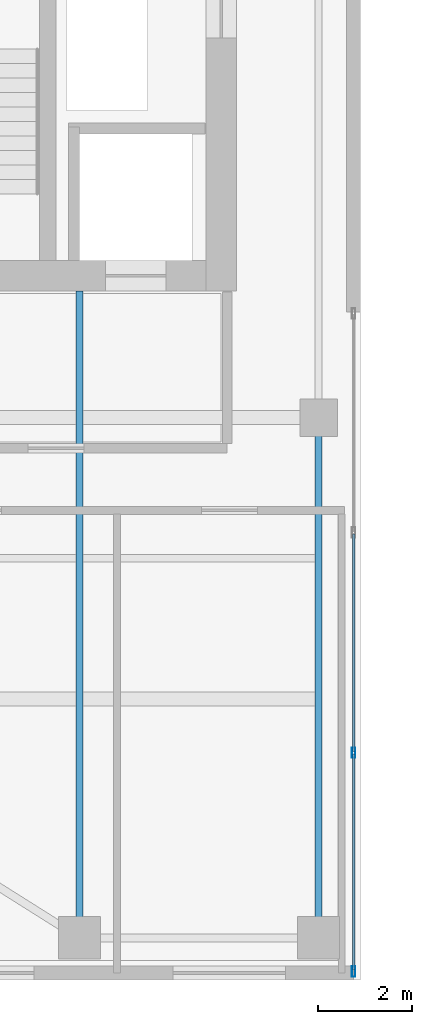
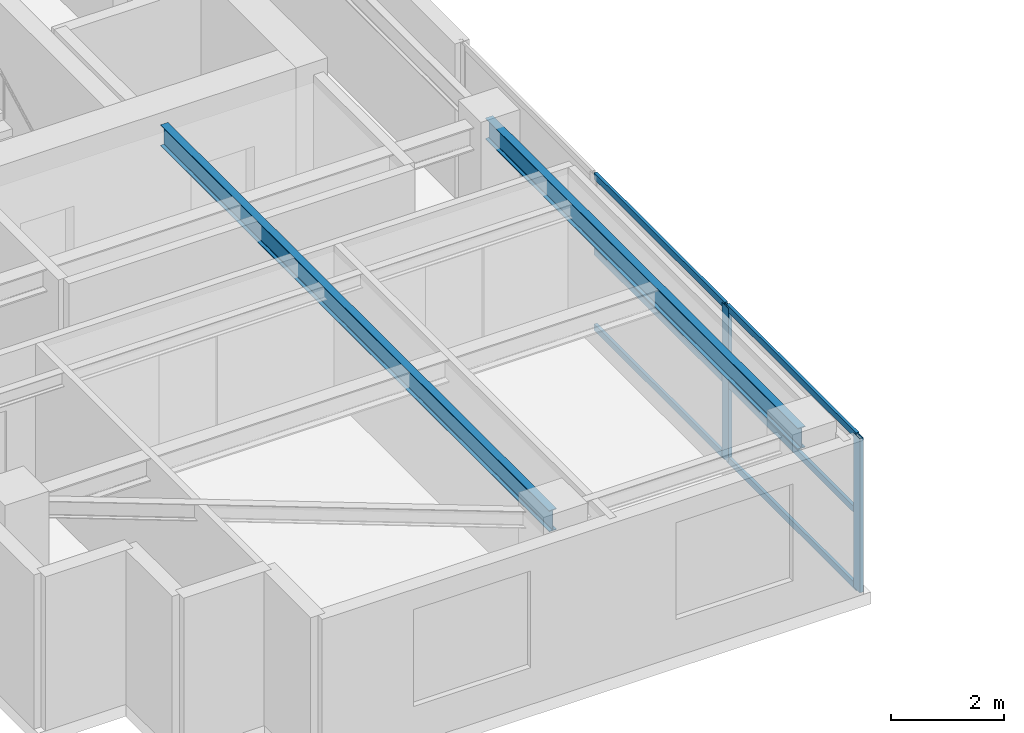
# One storey, part 2 of 21: 8 members, 2 beams, 1 element without a shape of its own.
"""IFC4 building model written with IfcOpenShell, lengths in metres."""

from ifc_helpers import new_model, si_unit, direction, frame, origin, origin_2d, place, context, subcontext, project, spatial, hollow_rectangle, i_section, extrude, source, transform, mapped, material, layer, layer_set, material_profile, profile_set, type_object, element, aggregate, save


model = new_model("IFC4")

# Units and contexts
model_context = context("Model", 3, precision=1e-05, world=origin(), true_north=direction((0.0, 1.0)))
body_context = subcontext(model_context, "Body", "Model", "MODEL_VIEW")
ifc_project = project(units=[si_unit("LENGTHUNIT", "METRE"), si_unit("AREAUNIT", "SQUARE_METRE"), si_unit("VOLUMEUNIT", "CUBIC_METRE"), si_unit("PLANEANGLEUNIT", "RADIAN"), si_unit("MASSUNIT", "GRAM", prefix="KILO")], contexts=[model_context])

# Site, building, storey
site_placement = place(None, origin())
site = spatial("IfcSite", under=ifc_project, at=site_placement, CompositionType="ELEMENT")
building_placement = place(site_placement, origin())
building = spatial("IfcBuilding", under=site, at=building_placement, Name="Khoralis Quay Care Tower", CompositionType="ELEMENT")
storey_placement = place(building_placement, frame((0.0, 0.0, 206.10009765625)))
storey = spatial("IfcBuildingStorey", under=building, at=storey_placement, Name="L54", CompositionType="ELEMENT", Elevation=206.10009765625)

# Beams
ifc_material_1 = material(Name="Steel S355", Category="steel")
ifc_material_profile_1 = material_profile(ifc_material_1, i_section(OverallWidth=0.154052734375, OverallDepth=0.458984375, WebThickness=0.009033203125, FlangeThickness=0.015380859375, FilletRadius=0.014892578125, at=origin_2d()), Name="Steel S355")
ifc_profile_set_1 = profile_set([ifc_material_profile_1], Name="Steel S355")
beam_type = type_object("IfcBeamType", Name="BM-W460X68", PredefinedType="BEAM", material=ifc_profile_set_1)
shared_shape_1 = source(origin(), body_context, "Body", "SweptSolid", [
    extrude(i_section(OverallWidth=0.154052734375, OverallDepth=0.458984375, WebThickness=0.009033203125, FlangeThickness=0.015380859375, FilletRadius=0.014892578125, at=origin_2d()), origin(), (0.0, 0.0, 1.0), 13.802001953125),
])
beam_1_placement = place(storey_placement, frame((12.0, 0.89990234375, 3.1103515625), z_axis=(0.0, 1.0, 0.0), x_axis=(-1.0, 0.0, 0.0)))
element("IfcBeam", 1, at=beam_1_placement, inside=storey, type_object=beam_type, Name="BM-TGYS-L54-120", PredefinedType="BEAM", context=body_context, shape_type="MappedRepresentation", body=[
    mapped(shared_shape_1, transform((0.0, 0.0, 0.0), scale=1.0)),
])
shared_shape_2 = source(origin(), body_context, "Body", "SweptSolid", [
    extrude(i_section(OverallWidth=0.154052734375, OverallDepth=0.458984375, WebThickness=0.009033203125, FlangeThickness=0.015380859375, FilletRadius=0.014892578125, at=origin_2d()), origin(), (0.0, 0.0, 1.0), 11.10009765625),
])
beam_2_placement = place(storey_placement, frame((17.10009765625, 0.89990234375, 3.1103515625), z_axis=(0.0, 1.0, 0.0), x_axis=(-1.0, 0.0, 0.0)))
element("IfcBeam", 2, at=beam_2_placement, inside=storey, type_object=beam_type, Name="BM-TGYS-L54-171", PredefinedType="BEAM", context=body_context, shape_type="MappedRepresentation", body=[
    mapped(shared_shape_2, transform((0.0, 0.0, 0.0), scale=1.0)),
])

# Curtain wall, members
ifc_material_2 = material(Name="Pale anodised aluminium", Category="aluminium")
ifc_layer = layer(ifc_material_2, 0.18994140625)
ifc_layer_set = layer_set([ifc_layer], Name="Pale anodised aluminium")
curtain_wall_type = type_object("IfcCurtainWallType", Name="CW-SYS-PORTAL", PredefinedType="NOTDEFINED", material=ifc_layer_set)
curtain_wall_placement = place(storey_placement, origin())
curtain_wall = element("IfcCurtainWall", 3, at=curtain_wall_placement, inside=storey, type_object=curtain_wall_type, Name="L54 Unitised Curtain Wall CW-VP-L54-P1-S", PredefinedType="NOTDEFINED")
ifc_material_profile_2 = material_profile(ifc_material_2, hollow_rectangle(XDim=0.06005859375, YDim=0.139892578125, WallThickness=0.00390625, at=origin_2d()), Name="Pale anodised aluminium")
ifc_profile_set_2 = profile_set([ifc_material_profile_2], Name="Pale anodised aluminium")
member_type_1 = type_object("IfcMemberType", Name="CW-TRN-140", PredefinedType="USERDEFINED", material=ifc_profile_set_2)
shared_shape_3 = source(origin(), body_context, "Body", "SweptSolid", [
    extrude(hollow_rectangle(XDim=0.06005859375, YDim=0.139892578125, WallThickness=0.00390625, at=origin_2d()), origin(), (0.0, 0.0, 1.0), 4.610107421875),
])
member_1_placement = place(storey_placement, frame((17.85009765625, 0.2099609375, 0.02978515625), z_axis=(0.0, 1.0, 0.0), x_axis=(-1.0, 0.0, 0.0)))
member_1 = element("IfcMember", 4, at=member_1_placement, type_object=member_type_1, Name="CW4 transom 1.1", ObjectType="TRANSOM", PredefinedType="USERDEFINED", context=body_context, shape_type="MappedRepresentation", body=[
    mapped(shared_shape_3, transform((0.0, 0.0, 0.0), scale=1.0)),
])
member_2_placement = place(storey_placement, frame((17.85009765625, 0.2099609375, 1.669921875), z_axis=(0.0, 1.0, 0.0), x_axis=(-1.0, 0.0, 0.0)))
member_2 = element("IfcMember", 5, at=member_2_placement, type_object=member_type_1, Name="CW4 transom 1.2", ObjectType="TRANSOM", PredefinedType="USERDEFINED", context=body_context, shape_type="MappedRepresentation", body=[
    mapped(shared_shape_3, transform((0.0, 0.0, 0.0), scale=1.0)),
])
member_3_placement = place(storey_placement, frame((17.85009765625, 0.2099609375, 3.309814453125), z_axis=(0.0, 1.0, 0.0), x_axis=(-1.0, 0.0, 0.0)))
member_3 = element("IfcMember", 6, at=member_3_placement, type_object=member_type_1, Name="CW4 transom 1.3", ObjectType="TRANSOM", PredefinedType="USERDEFINED", context=body_context, shape_type="MappedRepresentation", body=[
    mapped(shared_shape_3, transform((0.0, 0.0, 0.0), scale=1.0)),
])
shared_shape_4 = source(origin(), body_context, "Body", "SweptSolid", [
    extrude(hollow_rectangle(XDim=0.06005859375, YDim=0.139892578125, WallThickness=0.00390625, at=origin_2d()), origin(), (0.0, 0.0, 1.0), 4.64013671875),
])
member_4_placement = place(storey_placement, frame((17.85009765625, 4.8798828125, 0.02978515625), z_axis=(0.0, 1.0, 0.0), x_axis=(-1.0, 0.0, 0.0)))
member_4 = element("IfcMember", 7, at=member_4_placement, type_object=member_type_1, Name="CW4 transom 2.1", ObjectType="TRANSOM", PredefinedType="USERDEFINED", context=body_context, shape_type="MappedRepresentation", body=[
    mapped(shared_shape_4, transform((0.0, 0.0, 0.0), scale=1.0)),
])
member_5_placement = place(storey_placement, frame((17.85009765625, 4.8798828125, 1.669921875), z_axis=(0.0, 1.0, 0.0), x_axis=(-1.0, 0.0, 0.0)))
member_5 = element("IfcMember", 8, at=member_5_placement, type_object=member_type_1, Name="CW4 transom 2.2", ObjectType="TRANSOM", PredefinedType="USERDEFINED", context=body_context, shape_type="MappedRepresentation", body=[
    mapped(shared_shape_4, transform((0.0, 0.0, 0.0), scale=1.0)),
])
member_6_placement = place(storey_placement, frame((17.85009765625, 4.8798828125, 3.309814453125), z_axis=(0.0, 1.0, 0.0), x_axis=(-1.0, 0.0, 0.0)))
member_6 = element("IfcMember", 9, at=member_6_placement, type_object=member_type_1, Name="CW4 transom 2.3", ObjectType="TRANSOM", PredefinedType="USERDEFINED", context=body_context, shape_type="MappedRepresentation", body=[
    mapped(shared_shape_4, transform((0.0, 0.0, 0.0), scale=1.0)),
])
ifc_material_profile_3 = material_profile(ifc_material_2, hollow_rectangle(XDim=0.074951171875, YDim=0.219970703125, WallThickness=0.00390625, at=origin_2d()), Name="Pale anodised aluminium")
ifc_profile_set_3 = profile_set([ifc_material_profile_3], Name="Pale anodised aluminium")
member_type_2 = type_object("IfcMemberType", Name="CW-MUL-220", PredefinedType="MULLION", material=ifc_profile_set_3)
shared_shape_5 = source(origin(), body_context, "Body", "SweptSolid", [
    extrude(hollow_rectangle(XDim=0.074951171875, YDim=0.219970703125, WallThickness=0.00390625, at=origin_2d()), origin(), (0.0, 0.0, 1.0), 3.33984375),
])
member_7_placement = place(storey_placement, frame((17.85009765625, 0.179931640625, 0.0), z_axis=(0.0, 0.0, 1.0), x_axis=(-1.0, 0.0, 0.0)))
member_7 = element("IfcMember", 10, at=member_7_placement, type_object=member_type_2, Name="CW4 mullion 1", PredefinedType="MULLION", context=body_context, shape_type="MappedRepresentation", body=[
    mapped(shared_shape_5, transform((0.0, 0.0, 0.0), scale=1.0)),
])
member_8_placement = place(storey_placement, frame((17.85009765625, 4.85009765625, 0.0), z_axis=(0.0, 0.0, 1.0), x_axis=(-1.0, 0.0, 0.0)))
member_8 = element("IfcMember", 11, at=member_8_placement, type_object=member_type_2, Name="CW4 mullion 2", PredefinedType="MULLION", context=body_context, shape_type="MappedRepresentation", body=[
    mapped(shared_shape_5, transform((0.0, 0.0, 0.0), scale=1.0)),
])
aggregate(curtain_wall, [member_7, member_8, member_1, member_2, member_3, member_4, member_5, member_6])

save(model, "model.ifc")
